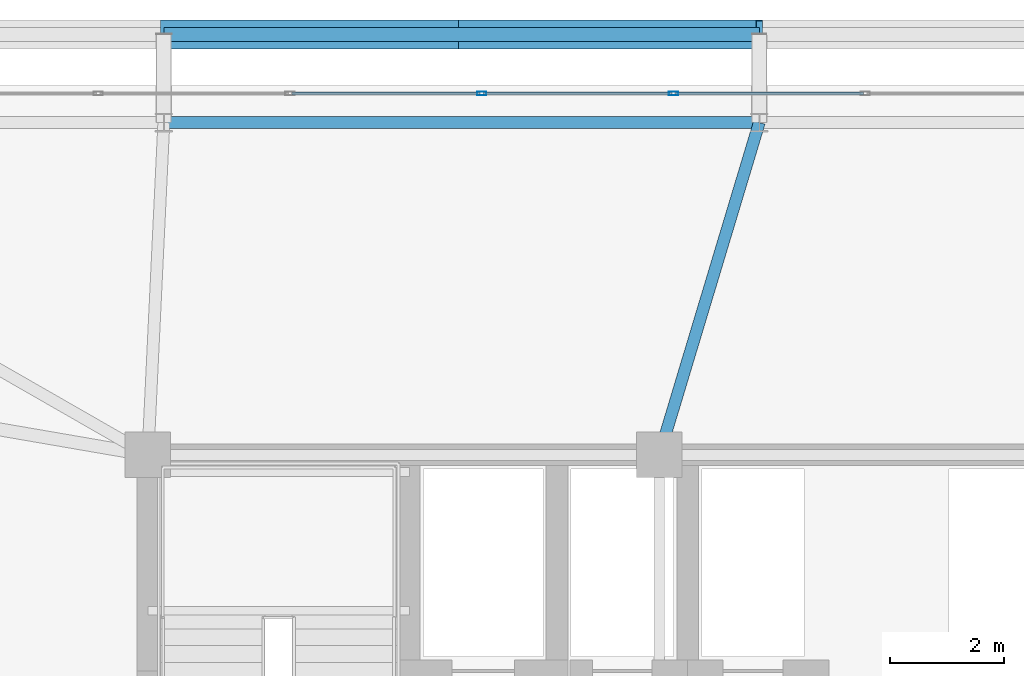
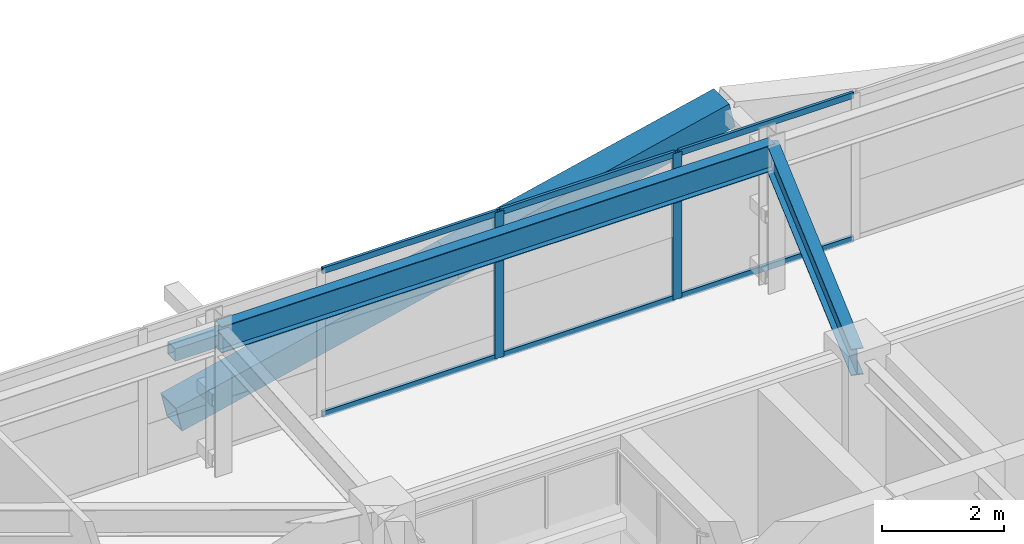
# One storey, part 36 of 58: 11 members, 2 beams, 1 element without a shape of its own.
"""IFC4 building model written with IfcOpenShell, lengths in metres."""

from ifc_helpers import new_model, si_unit, direction, frame, origin, origin_2d, place, context, subcontext, project, spatial, hollow_rectangle, i_section, extrude, source, transform, mapped, material, layer, layer_set, material_profile, profile_set, type_object, element, aggregate, save


model = new_model("IFC4")

# Units and contexts
model_context = context("Model", 3, precision=1e-05, world=origin(), true_north=direction((0.0, 1.0)))
body_context = subcontext(model_context, "Body", "Model", "MODEL_VIEW")
ifc_project = project(units=[si_unit("LENGTHUNIT", "METRE"), si_unit("AREAUNIT", "SQUARE_METRE"), si_unit("VOLUMEUNIT", "CUBIC_METRE"), si_unit("PLANEANGLEUNIT", "RADIAN"), si_unit("MASSUNIT", "GRAM", prefix="KILO")], contexts=[model_context])

# Site, building, storey
site_placement = place(None, origin())
site = spatial("IfcSite", under=ifc_project, at=site_placement, CompositionType="ELEMENT")
building_placement = place(site_placement, origin())
building = spatial("IfcBuilding", under=site, at=building_placement, Name="Taldren Reach Tower", CompositionType="ELEMENT")
storey_placement = place(building_placement, frame((0.0, 0.0, 32.550048828125)))
storey = spatial("IfcBuildingStorey", under=building, at=storey_placement, Name="L09", CompositionType="ELEMENT", Elevation=32.550048828125)

# Beams
ifc_material_1 = material(Name="Steel Gr 350 (350PLUS)", Category="steel")
ifc_material_profile_1 = material_profile(ifc_material_1, i_section(OverallWidth=0.208984375, OverallDepth=0.528076171875, WebThickness=0.009521484375, FlangeThickness=0.01318359375, at=origin_2d()), Name="530UB82.0")
ifc_profile_set_1 = profile_set([ifc_material_profile_1], Name="Steel Gr 350 (350PLUS)")
beam_type_1 = type_object("IfcBeamType", Name="SP-UB530B", PredefinedType="SPANDREL", material=ifc_profile_set_1)
shared_shape_1 = source(origin(), body_context, "Body", "SweptSolid", [
    extrude(i_section(OverallWidth=0.208984375, OverallDepth=0.528076171875, WebThickness=0.009521484375, FlangeThickness=0.01318359375, at=origin_2d()), origin(), (0.0, 0.0, 1.0), 10.47998046875),
])
beam_1_placement = place(storey_placement, frame((29.760009765625, 37.85009765625, 2.666015625), z_axis=(-1.0, 0.0, 0.0), x_axis=(0.0, -1.0, 0.0)))
element("IfcBeam", 1, at=beam_1_placement, inside=storey, type_object=beam_type_1, Name="Perimeter spandrel B1 N3-N2 L09", PredefinedType="SPANDREL", context=body_context, shape_type="MappedRepresentation", body=[
    mapped(shared_shape_1, transform((0.0, 0.0, 0.0), scale=1.0)),
])
ifc_material_profile_2 = material_profile(ifc_material_1, i_section(OverallWidth=0.208984375, OverallDepth=0.532958984375, WebThickness=0.01025390625, FlangeThickness=0.015625, at=origin_2d()), Name="530UB92.4")
ifc_profile_set_2 = profile_set([ifc_material_profile_2], Name="Steel Gr 350 (350PLUS)")
beam_type_2 = type_object("IfcBeamType", Name="BM-UB530A", PredefinedType="BEAM", material=ifc_profile_set_2)
shared_shape_2 = source(origin(), body_context, "Body", "SweptSolid", [
    extrude(i_section(OverallWidth=0.208984375, OverallDepth=0.532958984375, WebThickness=0.01025390625, FlangeThickness=0.015625, at=origin_2d()), origin(), (0.0, 0.0, 1.0), 6.109130859375),
])
beam_2_placement = place(storey_placement, frame((28.0, 32.0, 2.663330078125), z_axis=(0.288095735745, 0.957601611864, 0.0), x_axis=(-0.957601611864, 0.288095735745, 0.0)))
element("IfcBeam", 2, at=beam_2_placement, inside=storey, type_object=beam_type_2, Name="Primary floor girder B1-N3 L09", PredefinedType="BEAM", context=body_context, shape_type="MappedRepresentation", body=[
    mapped(shared_shape_2, transform((0.0, 0.0, 0.0), scale=1.0)),
])

# Members
ifc_material_2 = material(Name="Steel Gr 450 (C450L0)", Category="steel")
ifc_material_profile_3 = material_profile(ifc_material_2, hollow_rectangle(XDim=0.510009765625, YDim=0.510009765625, WallThickness=0.02001953125, at=origin_2d()), Name="510x510x20.0SHS")
ifc_profile_set_3 = profile_set([ifc_material_profile_3], Name="Steel Gr 450 (C450L0)")
member_type_1 = type_object("IfcMemberType", Name="MB-EXO508", PredefinedType="BRACE", material=ifc_profile_set_3)
shared_shape_3 = source(origin(), body_context, "Body", "SweptSolid", [
    extrude(hollow_rectangle(XDim=0.510009765625, YDim=0.510009765625, WallThickness=0.02001953125, at=origin_2d()), origin(), (0.0, 0.0, 1.0), 5.37890625),
])
for number, where, z_axis, x_axis, name in (
    (3, (19.280029296875, 39.39990234375, 0.219970703125), (0.97415197996, 0.0, 0.225893603143), (0.0, 1.0, 0.0), "Exoskeleton Diagrid Brace B1-N2 L09"),
    (4, (24.52001953125, 39.39990234375, 1.43505859375), (0.974161966843, 0.0, 0.225850531007), (0.0, 1.0, 0.0), "Exoskeleton Diagrid Brace B1-N2 L09"),
):
    element("IfcMember", number, at=place(storey_placement, frame(where, z_axis=z_axis, x_axis=x_axis)), inside=storey, type_object=member_type_1, Name=name, PredefinedType="BRACE", context=body_context, shape_type="MappedRepresentation", body=[
        mapped(shared_shape_3, transform((0.0, 0.0, 0.0), scale=1.0)),
    ])
ifc_material_3 = material(Name="Steel Gr 350 (C350L0)", Category="steel")
ifc_material_profile_4 = material_profile(ifc_material_3, hollow_rectangle(XDim=0.25, YDim=0.25, WallThickness=0.010009765625, at=origin_2d()), Name="250x250x10.0SHS")
ifc_profile_set_4 = profile_set([ifc_material_profile_4], Name="Steel Gr 350 (C350L0)")
member_type_2 = type_object("IfcMemberType", Name="MB-POST250", PredefinedType="POST", material=ifc_profile_set_4)
shared_shape_4 = source(origin(), body_context, "Body", "SweptSolid", [
    extrude(hollow_rectangle(XDim=0.25, YDim=0.25, WallThickness=0.010009765625, at=origin_2d()), origin(), (0.0, 0.0, 1.0), 10.47998046875),
])
member_1_placement = place(storey_placement, frame((19.280029296875, 39.39990234375, 1.43505859375), z_axis=(1.0, 0.0, 0.0), x_axis=(0.0, 1.0, 0.0)))
element("IfcMember", 5, at=member_1_placement, inside=storey, type_object=member_type_2, Name="Exoskeleton mid-height ring chord B1-N2 L09", PredefinedType="POST", context=body_context, shape_type="MappedRepresentation", body=[
    mapped(shared_shape_4, transform((0.0, 0.0, 0.0), scale=1.0)),
])

# Curtain wall, members
ifc_material_4 = material(Name="Aluminium and Low-E Glass Unitised System", Category="aluminium")
ifc_layer = layer(ifc_material_4, 0.159912109375)
ifc_layer_set = layer_set([ifc_layer], Name="Aluminium and Low-E Glass Unitised System")
curtain_wall_type = type_object("IfcCurtainWallType", Name="CW-SYS-2", PredefinedType="NOTDEFINED", material=ifc_layer_set)
curtain_wall_placement = place(storey_placement, origin())
curtain_wall = element("IfcCurtainWall", 6, at=curtain_wall_placement, inside=storey, type_object=curtain_wall_type, Name="Unitised curtain wall CW-L09-N", PredefinedType="NOTDEFINED")
ifc_material_5 = material(Name="Anodised Aluminium 6063-T6", Category="aluminium")
ifc_material_profile_5 = material_profile(ifc_material_5, hollow_rectangle(XDim=0.06494140625, YDim=0.1650390625, WallThickness=0.00390625, at=origin_2d()), Name="ALU-165x65x4RHS")
ifc_profile_set_5 = profile_set([ifc_material_profile_5], Name="Anodised Aluminium 6063-T6")
member_type_3 = type_object("IfcMemberType", Name="CW-MUL-165", PredefinedType="MULLION", material=ifc_profile_set_5)
shared_shape_5 = source(origin(), body_context, "Body", "SweptSolid", [
    extrude(hollow_rectangle(XDim=0.06494140625, YDim=0.1650390625, WallThickness=0.00390625, at=origin_2d()), origin(), (0.0, 0.0, 1.0), 2.929931640625),
])
member_2_placement = place(storey_placement, frame((28.25, 38.360107421875, 0.0), z_axis=(0.0, 0.0, 1.0), x_axis=(0.0, -1.0, 0.0)))
member_2 = element("IfcMember", 7, at=member_2_placement, type_object=member_type_3, Name="CW-2 mullion 11", PredefinedType="MULLION", context=body_context, shape_type="MappedRepresentation", body=[
    mapped(shared_shape_5, transform((0.0, 0.0, 0.0), scale=1.0)),
])
member_3_placement = place(storey_placement, frame((24.875, 38.360107421875, 0.0), z_axis=(0.0, 0.0, 1.0), x_axis=(0.0, -1.0, 0.0)))
member_3 = element("IfcMember", 8, at=member_3_placement, type_object=member_type_3, Name="CW-2 mullion 12", PredefinedType="MULLION", context=body_context, shape_type="MappedRepresentation", body=[
    mapped(shared_shape_5, transform((0.0, 0.0, 0.0), scale=1.0)),
])
ifc_material_profile_6 = material_profile(ifc_material_5, hollow_rectangle(XDim=0.054931640625, YDim=0.1201171875, WallThickness=0.0029296875, at=origin_2d()), Name="ALU-120x55x3RHS")
ifc_profile_set_6 = profile_set([ifc_material_profile_6], Name="Anodised Aluminium 6063-T6")
member_type_4 = type_object("IfcMemberType", Name="CW-TRN-135", PredefinedType="USERDEFINED", material=ifc_profile_set_6)
shared_shape_6 = source(origin(), body_context, "Body", "SweptSolid", [
    extrude(hollow_rectangle(XDim=0.054931640625, YDim=0.1201171875, WallThickness=0.0029296875, at=origin_2d()), origin(), (0.0, 0.0, 1.0), 3.31005859375),
])
member_4_placement = place(storey_placement, frame((31.592529296875, 38.360107421875, 0.02734375), z_axis=(-1.0, 0.0, 0.0), x_axis=(0.0, -1.0, 0.0)))
member_4 = element("IfcMember", 9, at=member_4_placement, type_object=member_type_4, Name="CW-2 transom 10.1", ObjectType="TRANSOM", PredefinedType="USERDEFINED", context=body_context, shape_type="MappedRepresentation", body=[
    mapped(shared_shape_6, transform((0.0, 0.0, 0.0), scale=1.0)),
])
member_5_placement = place(storey_placement, frame((31.592529296875, 38.360107421875, 2.90234375), z_axis=(-1.0, 0.0, 0.0), x_axis=(0.0, -1.0, 0.0)))
member_5 = element("IfcMember", 10, at=member_5_placement, type_object=member_type_4, Name="CW-2 transom 10.2", ObjectType="TRANSOM", PredefinedType="USERDEFINED", context=body_context, shape_type="MappedRepresentation", body=[
    mapped(shared_shape_6, transform((0.0, 0.0, 0.0), scale=1.0)),
])
member_6_placement = place(storey_placement, frame((28.217529296875, 38.360107421875, 0.02734375), z_axis=(-1.0, 0.0, 0.0), x_axis=(0.0, -1.0, 0.0)))
member_6 = element("IfcMember", 11, at=member_6_placement, type_object=member_type_4, Name="CW-2 transom 11.1", ObjectType="TRANSOM", PredefinedType="USERDEFINED", context=body_context, shape_type="MappedRepresentation", body=[
    mapped(shared_shape_6, transform((0.0, 0.0, 0.0), scale=1.0)),
])
member_7_placement = place(storey_placement, frame((28.217529296875, 38.360107421875, 2.90234375), z_axis=(-1.0, 0.0, 0.0), x_axis=(0.0, -1.0, 0.0)))
member_7 = element("IfcMember", 12, at=member_7_placement, type_object=member_type_4, Name="CW-2 transom 11.2", ObjectType="TRANSOM", PredefinedType="USERDEFINED", context=body_context, shape_type="MappedRepresentation", body=[
    mapped(shared_shape_6, transform((0.0, 0.0, 0.0), scale=1.0)),
])
member_8_placement = place(storey_placement, frame((24.842529296875, 38.360107421875, 0.02734375), z_axis=(-1.0, 0.0, 0.0), x_axis=(0.0, -1.0, 0.0)))
member_8 = element("IfcMember", 13, at=member_8_placement, type_object=member_type_4, Name="CW-2 transom 12.1", ObjectType="TRANSOM", PredefinedType="USERDEFINED", context=body_context, shape_type="MappedRepresentation", body=[
    mapped(shared_shape_6, transform((0.0, 0.0, 0.0), scale=1.0)),
])
member_9_placement = place(storey_placement, frame((24.842529296875, 38.360107421875, 2.90234375), z_axis=(-1.0, 0.0, 0.0), x_axis=(0.0, -1.0, 0.0)))
member_9 = element("IfcMember", 14, at=member_9_placement, type_object=member_type_4, Name="CW-2 transom 12.2", ObjectType="TRANSOM", PredefinedType="USERDEFINED", context=body_context, shape_type="MappedRepresentation", body=[
    mapped(shared_shape_6, transform((0.0, 0.0, 0.0), scale=1.0)),
])
aggregate(curtain_wall, [member_2, member_3, member_4, member_5, member_6, member_7, member_8, member_9])

save(model, "model.ifc")
